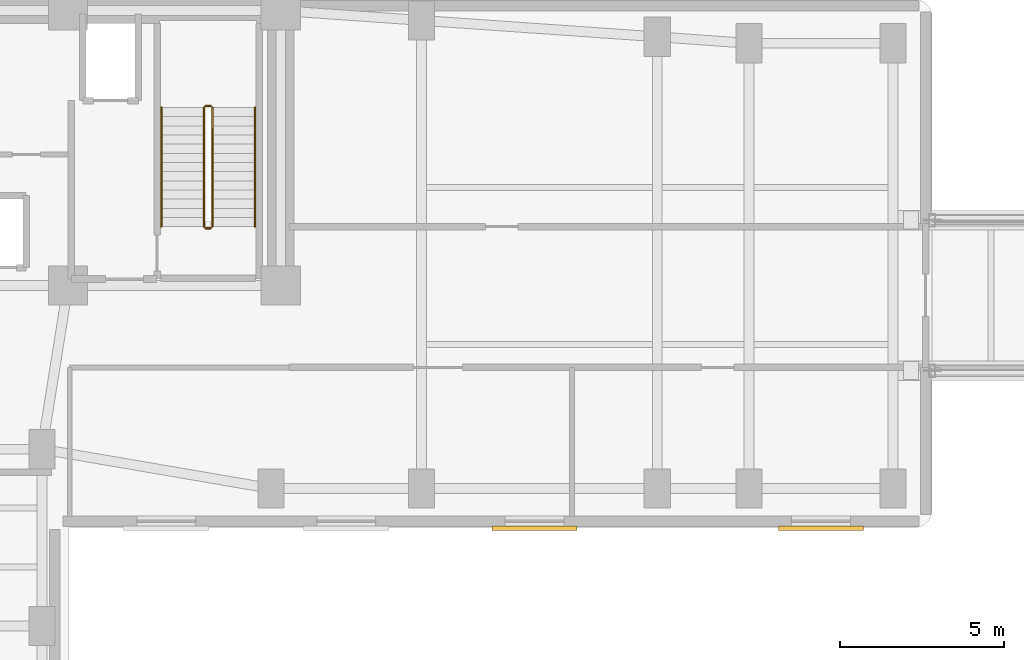
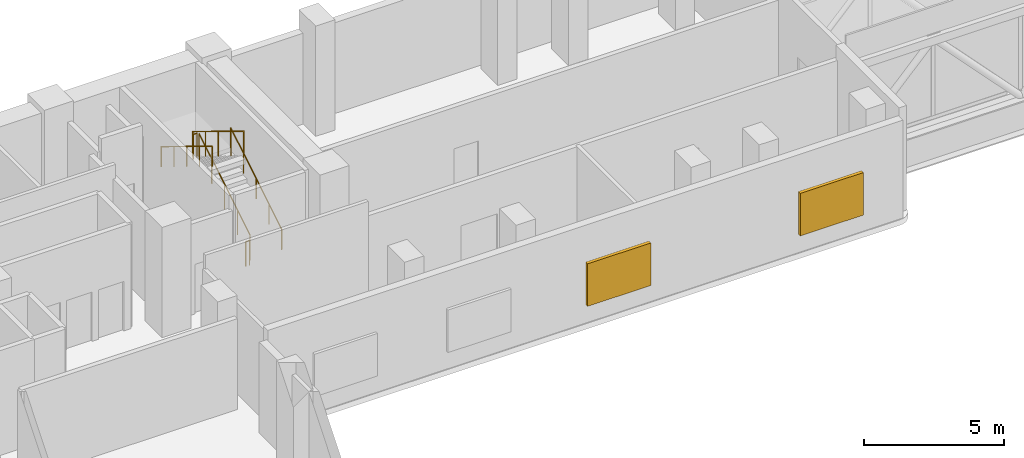
# One storey, part 16 of 17: 6 railings, 2 shading devices.
"""IFC4 building model written with IfcOpenShell, lengths in metres."""

from ifc_helpers import new_model, si_unit, direction, frame, origin, origin_2d, place, context, subcontext, project, spatial, rectangle, circle, extrude, material, layer, layer_set, type_object, element, save


model = new_model("IFC4")

# Units and contexts
model_context = context("Model", 3, precision=1e-05, world=origin(), true_north=direction((0.0, 1.0)))
body_context = subcontext(model_context, "Body", "Model", "MODEL_VIEW")
ifc_project = project(units=[si_unit("LENGTHUNIT", "METRE"), si_unit("AREAUNIT", "SQUARE_METRE"), si_unit("VOLUMEUNIT", "CUBIC_METRE"), si_unit("PLANEANGLEUNIT", "RADIAN"), si_unit("MASSUNIT", "GRAM", prefix="KILO")], contexts=[model_context])

# Site, building, storey
site_placement = place(None, origin())
site = spatial("IfcSite", under=ifc_project, at=site_placement, CompositionType="ELEMENT")
building_placement = place(site_placement, origin())
building = spatial("IfcBuilding", under=site, at=building_placement, Name="Kuzgunbayir Cultural Tower", CompositionType="ELEMENT")
storey_placement = place(building_placement, frame((0.0, 0.0, 102.60009765625)))
storey = spatial("IfcBuildingStorey", under=building, at=storey_placement, Name="L29", CompositionType="ELEMENT", Elevation=102.60009765625)

# Railings
ifc_material_1 = material(Name="Brushed Stainless Steel", Category="steel")
ifc_layer_1 = layer(ifc_material_1, 0.050048828125)
ifc_layer_set_1 = layer_set([ifc_layer_1], Name="Brushed Stainless Steel")
railing_type_1 = type_object("IfcRailingType", Name="RLG-STAIR-HANDRAIL", PredefinedType="HANDRAIL", material=ifc_layer_set_1)
railing_1_placement = place(storey_placement, frame((26.110107421875, 35.60009765625, 0.17138671875)))
element("IfcRailing", 1, at=railing_1_placement, inside=storey, type_object=railing_type_1, Name="L29 ST-2 stair handrail 1", PredefinedType="HANDRAIL", context=body_context, shape_type="SweptSolid", body=[
    extrude(circle(Radius=0.02392578125, at=origin_2d()), frame((0.0, 0.0, 0.8759765625), z_axis=(0.0, 0.852850264322, 0.5221555579), x_axis=(-1.0, 0.0, 0.0)), (0.0, 0.0, 1.0), 4.267822265625),
    extrude(circle(Radius=0.02099609375, at=origin_2d()), origin(), (0.0, 0.0, 1.0), 0.851806640625),
    extrude(circle(Radius=0.02099609375, at=origin_2d()), frame((0.0, 0.909912109375, 0.55712890625)), (0.0, 0.0, 1.0), 0.851806640625),
    extrude(circle(Radius=0.02099609375, at=origin_2d()), frame((0.0, 1.81982421875, 1.1142578125)), (0.0, 0.0, 1.0), 0.851806640625),
    extrude(circle(Radius=0.02099609375, at=origin_2d()), frame((0.0, 2.72998046875, 1.67138671875)), (0.0, 0.0, 1.0), 0.851806640625),
    extrude(circle(Radius=0.02099609375, at=origin_2d()), frame((0.0, 3.639892578125, 2.228515625)), (0.0, 0.0, 1.0), 0.851806640625),
])
railing_2_placement = place(storey_placement, frame((23.25, 39.239990234375, 2.5712890625)))
element("IfcRailing", 2, at=railing_2_placement, inside=storey, type_object=railing_type_1, Name="L29 ST-2 stair handrail 2", PredefinedType="HANDRAIL", context=body_context, shape_type="SweptSolid", body=[
    extrude(circle(Radius=0.02392578125, at=origin_2d()), frame((0.0, 0.0, 0.8759765625), z_axis=(0.0, -0.852850264322, 0.5221555579), x_axis=(1.0, 0.0, 0.0)), (0.0, 0.0, 1.0), 4.267822265625),
    extrude(circle(Radius=0.02099609375, at=origin_2d()), origin(), (0.0, 0.0, 1.0), 0.851806640625),
    extrude(circle(Radius=0.02099609375, at=origin_2d()), frame((0.0, -0.909912109375, 0.55712890625)), (0.0, 0.0, 1.0), 0.851806640625),
    extrude(circle(Radius=0.02099609375, at=origin_2d()), frame((0.0, -1.81982421875, 1.1142578125)), (0.0, 0.0, 1.0), 0.851806640625),
    extrude(circle(Radius=0.02099609375, at=origin_2d()), frame((0.0, -2.72998046875, 1.67138671875)), (0.0, 0.0, 1.0), 0.851806640625),
    extrude(circle(Radius=0.02099609375, at=origin_2d()), frame((0.0, -3.639892578125, 2.228515625)), (0.0, 0.0, 1.0), 0.851806640625),
])
ifc_material_2 = material(Name="Painted Steel Balustrade", Category="steel")
ifc_layer_2 = layer(ifc_material_2, 0.06005859375)
ifc_layer_set_2 = layer_set([ifc_layer_2], Name="Painted Steel Balustrade")
railing_type_2 = type_object("IfcRailingType", Name="RLG-WELL-GUARD", PredefinedType="GUARDRAIL", material=ifc_layer_set_2)
railing_3_placement = place(storey_placement, frame((24.81005859375, 35.60009765625, 0.17138671875)))
element("IfcRailing", 3, at=railing_3_placement, inside=storey, type_object=railing_type_2, Name="L29 ST-2 stair guard 1", PredefinedType="GUARDRAIL", context=body_context, shape_type="SweptSolid", body=[
    extrude(circle(Radius=0.02392578125, at=origin_2d()), frame((0.0, 0.0, 1.076171875), z_axis=(0.0, 0.852850264322, 0.5221555579), x_axis=(-1.0, 0.0, 0.0)), (0.0, 0.0, 1.0), 4.267822265625),
    extrude(circle(Radius=0.02099609375, at=origin_2d()), origin(), (0.0, 0.0, 1.0), 1.052001953125),
    extrude(circle(Radius=0.02099609375, at=origin_2d()), frame((0.0, 0.909912109375, 0.55712890625)), (0.0, 0.0, 1.0), 1.052001953125),
    extrude(circle(Radius=0.02099609375, at=origin_2d()), frame((0.0, 1.81982421875, 1.1142578125)), (0.0, 0.0, 1.0), 1.052001953125),
    extrude(circle(Radius=0.02099609375, at=origin_2d()), frame((0.0, 2.72998046875, 1.67138671875)), (0.0, 0.0, 1.0), 1.052001953125),
    extrude(circle(Radius=0.02099609375, at=origin_2d()), frame((0.0, 3.639892578125, 2.228515625)), (0.0, 0.0, 1.0), 1.052001953125),
])
railing_4_placement = place(storey_placement, frame((24.760009765625, 39.2900390625, 2.39990234375)))
element("IfcRailing", 4, at=railing_4_placement, inside=storey, type_object=railing_type_2, Name="L29 ST-2 stair guard 2", PredefinedType="GUARDRAIL", context=body_context, shape_type="SweptSolid", body=[
    extrude(circle(Radius=0.02392578125, at=origin_2d()), frame((0.0, 0.0, 1.076171875), z_axis=(-1.0, 0.0, 0.0), x_axis=(0.0, -1.0, 0.0)), (0.0, 0.0, 1.0), 0.159912109375),
    extrude(circle(Radius=0.02099609375, at=origin_2d()), origin(), (0.0, 0.0, 1.0), 1.052001953125),
    extrude(circle(Radius=0.02099609375, at=origin_2d()), frame((-0.159912109375, 0.0, 0.0)), (0.0, 0.0, 1.0), 1.052001953125),
])
railing_5_placement = place(storey_placement, frame((24.550048828125, 39.239990234375, 2.5712890625)))
element("IfcRailing", 5, at=railing_5_placement, inside=storey, type_object=railing_type_2, Name="L29 ST-2 stair guard 3", PredefinedType="GUARDRAIL", context=body_context, shape_type="SweptSolid", body=[
    extrude(circle(Radius=0.02392578125, at=origin_2d()), frame((0.0, 0.0, 1.076171875), z_axis=(0.0, -0.852850264322, 0.5221555579), x_axis=(1.0, 0.0, 0.0)), (0.0, 0.0, 1.0), 4.267822265625),
    extrude(circle(Radius=0.02099609375, at=origin_2d()), origin(), (0.0, 0.0, 1.0), 1.052001953125),
    extrude(circle(Radius=0.02099609375, at=origin_2d()), frame((0.0, -0.909912109375, 0.55712890625)), (0.0, 0.0, 1.0), 1.052001953125),
    extrude(circle(Radius=0.02099609375, at=origin_2d()), frame((0.0, -1.81982421875, 1.1142578125)), (0.0, 0.0, 1.0), 1.052001953125),
    extrude(circle(Radius=0.02099609375, at=origin_2d()), frame((0.0, -2.72998046875, 1.67138671875)), (0.0, 0.0, 1.0), 1.052001953125),
    extrude(circle(Radius=0.02099609375, at=origin_2d()), frame((0.0, -3.639892578125, 2.228515625)), (0.0, 0.0, 1.0), 1.052001953125),
])
railing_6_placement = place(storey_placement, frame((24.760009765625, 35.550048828125, 0.0)))
element("IfcRailing", 6, at=railing_6_placement, inside=storey, type_object=railing_type_2, Name="L29 ST-2 stair guard 4", PredefinedType="GUARDRAIL", context=body_context, shape_type="SweptSolid", body=[
    extrude(circle(Radius=0.02392578125, at=origin_2d()), frame((0.0, 0.0, 1.076171875), z_axis=(-1.0, 0.0, 0.0), x_axis=(0.0, -1.0, 0.0)), (0.0, 0.0, 1.0), 0.159912109375),
    extrude(circle(Radius=0.02099609375, at=origin_2d()), origin(), (0.0, 0.0, 1.0), 1.052001953125),
    extrude(circle(Radius=0.02099609375, at=origin_2d()), frame((-0.159912109375, 0.0, 0.0)), (0.0, 0.0, 1.0), 1.052001953125),
])

# Shading devices
ifc_material_3 = material(Name="Perforated Bronze-Anodised Aluminium", Category="aluminium")
shading_device_type = type_object("IfcShadingDeviceType", Name="SHD-SOLAR-BRONZE", PredefinedType="JALOUSIE", material=ifc_material_3)
for number, where, z_axis, x_axis, name in (
    (7, (34.64990234375, 26.389892578125, 0.794921875), (0.0, 0.0, 1.0), (1.0, 0.0, 0.0), "L29 Solar Screen WBS12"),
    (8, (43.39990234375, 26.389892578125, 0.794921875), (0.0, 0.0, 1.0), (1.0, 0.0, 0.0), "L29 Solar Screen WBS13"),
):
    element("IfcShadingDevice", number, at=place(storey_placement, frame(where, z_axis=z_axis, x_axis=x_axis)), inside=storey, type_object=shading_device_type, Name=name, PredefinedType="JALOUSIE", context=body_context, shape_type="SweptSolid", body=[
        extrude(rectangle(XDim=2.60009765625, YDim=0.139892578125, at=origin_2d()), origin(), (0.0, 0.0, 1.0), 1.85009765625),
    ])

save(model, "model.ifc")
